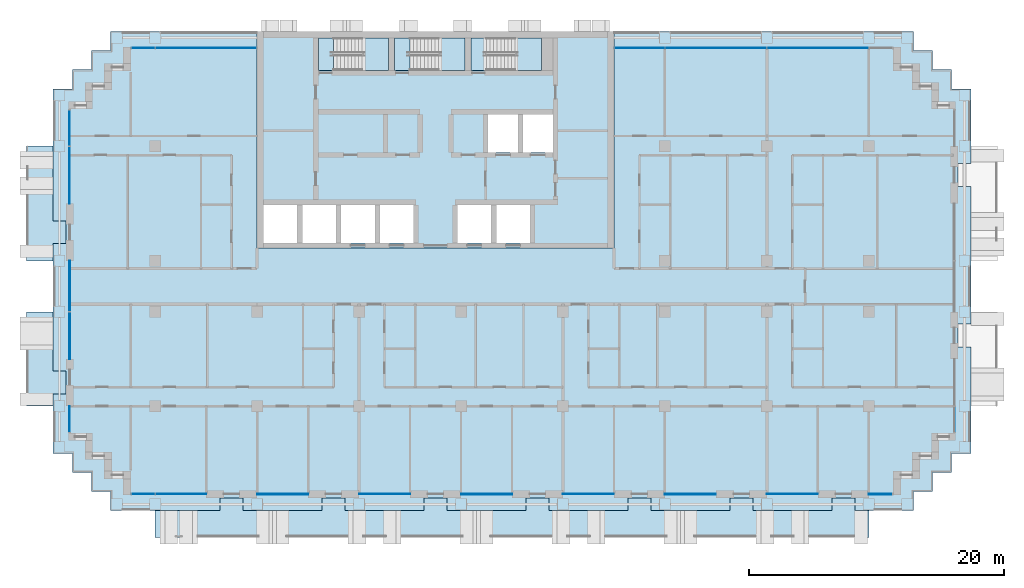
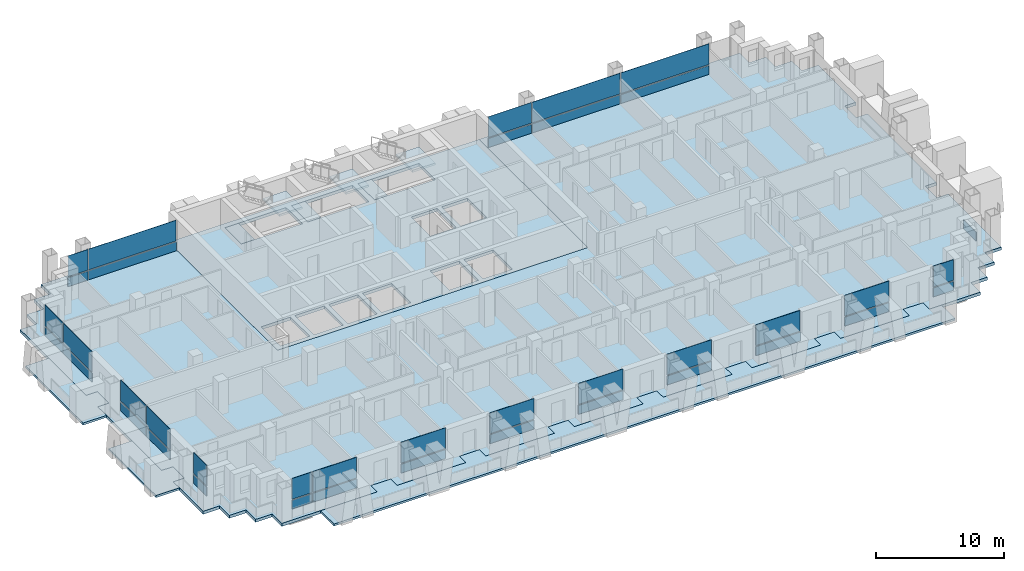
# One storey, part 7 of 18: 39 plates, 11 slabs, 17 elements without a shape of their own.
"""IFC4 building model written with IfcOpenShell, lengths in metres."""

import ifcopenshell
import ifcopenshell.guid

model = None  # the IFC model being written
_history = None  # IfcOwnerHistory: only IFC2X3 demands one
_inside = {}  # id of a spatial element -> (the spatial element, [elements in it])
_under = {}  # id of a project, library or spatial element -> (it, [spatial elements below it])
_declared = {}  # id of a project -> (the project, [libraries it declares])
_typed = {}  # id of a type object -> (the type object, [elements of that type])
_made_of = {}  # id of a material, layer set ... -> (it, [elements and type objects made of it])


def new_model(schema):
    """Start an empty IFC model of exactly this schema.

    Asked for "IFC4X3", IfcOpenShell would pick the latest addendum, in which some entities
    have other attributes; the version numbers below select the first issue.
    IFC2X3 requires an IfcOwnerHistory on every rooted entity: one is made here for all.
    """
    global model, _history
    if schema == "IFC4X3":
        model = ifcopenshell.file(schema_version=(4, 3, 0, 0))
    else:
        model = ifcopenshell.file(schema=schema)
    _inside.clear()
    _under.clear()
    _declared.clear()
    _typed.clear()
    _made_of.clear()
    _history = None
    if model.schema == "IFC2X3":
        org = make("IfcOrganization", Name="unknown")
        user = make(
            "IfcPersonAndOrganization",
            ThePerson=make("IfcPerson", FamilyName="unknown"),
            TheOrganization=org,
        )
        app = make(
            "IfcApplication",
            ApplicationDeveloper=org,
            Version="unknown",
            ApplicationFullName="unknown",
            ApplicationIdentifier="unknown",
        )
        _history = make(
            "IfcOwnerHistory",
            OwningUser=user,
            OwningApplication=app,
            ChangeAction="ADDED",
            CreationDate=0,
        )
    return model


def make(cls, **values):
    """One entity of the class cls with the attributes given. An attribute that is None is left unset."""
    return model.create_entity(
        cls, **{name: value for name, value in values.items() if value is not None}
    )


def rooted(cls, **values):
    """An entity with a GlobalId (a new one), such as an element, a storey or a relation."""
    return make(cls, GlobalId=ifcopenshell.guid.new(), OwnerHistory=_history, **values)


def si_unit(unit_type, name, prefix=None):
    """IfcSIUnit, for example si_unit("LENGTHUNIT", "METRE", prefix="MILLI")."""
    return make("IfcSIUnit", UnitType=unit_type, Prefix=prefix, Name=name)


def assignment(units):
    """IfcUnitAssignment: the units of a project."""
    return None if units is None else make("IfcUnitAssignment", Units=units)


def point(xyz):
    """IfcCartesianPoint."""
    return None if xyz is None else make("IfcCartesianPoint", Coordinates=xyz)


def direction(xyz):
    """IfcDirection."""
    return None if xyz is None else make("IfcDirection", DirectionRatios=xyz)


def frame(location, z_axis=None, x_axis=None):
    """IfcAxis2Placement3D, a coordinate frame: its origin and axes. An axis left out is left unset."""
    return make(
        "IfcAxis2Placement3D",
        Location=point(location),
        Axis=direction(z_axis),
        RefDirection=direction(x_axis),
    )


def frame_2d(location, x_axis=None):
    """IfcAxis2Placement2D, a coordinate frame in the plane: its origin and x axis."""
    return make(
        "IfcAxis2Placement2D", Location=point(location), RefDirection=direction(x_axis)
    )


def origin():
    """The frame at (0, 0, 0) with its axes left unset."""
    return frame((0.0, 0.0, 0.0))


def origin_2d():
    """The frame at (0, 0) in the plane with its x axis left unset."""
    return frame_2d((0.0, 0.0))


def place(relative_to, where):
    """IfcLocalPlacement: puts the frame where relative to a parent placement (None: the world)."""
    return make(
        "IfcLocalPlacement", PlacementRelTo=relative_to, RelativePlacement=where
    )


def context(
    kind, dimensions, precision=None, world=None, true_north=None, identifier=None
):
    """IfcGeometricRepresentationContext, for example the 3D "Model" context."""
    return make(
        "IfcGeometricRepresentationContext",
        ContextIdentifier=identifier,
        ContextType=kind,
        CoordinateSpaceDimension=dimensions,
        Precision=precision,
        WorldCoordinateSystem=world,
        TrueNorth=true_north,
    )


def subcontext(parent, identifier, kind, view, scale=None):
    """IfcGeometricRepresentationSubContext, for example "Body" below "Model"."""
    return make(
        "IfcGeometricRepresentationSubContext",
        ContextIdentifier=identifier,
        ContextType=kind,
        ParentContext=parent,
        TargetScale=scale,
        TargetView=view,
    )


def project(units=None, contexts=None):
    """IfcProject with its units and contexts."""
    return rooted(
        "IfcProject",
        Name="project",
        RepresentationContexts=contexts,
        UnitsInContext=assignment(units),
    )


def spatial(cls, under=None, at=None, **own):
    """A site, building, storey or space (cls), placed at a placement, below another one or the project."""
    s = rooted(cls, ObjectPlacement=at, **own)
    if under is not None:
        _under.setdefault(under.id(), (under, []))[1].append(s)
    return s


def polyline(points):
    """IfcPolyline through the points."""
    return make("IfcPolyline", Points=[point(p) for p in points])


def profile(cls, at=None, kind="AREA", **sizes):
    """A parametric profile (cls). Its sizes go by their IFC names, for example OverallWidth=200.0."""
    return make(cls, ProfileType=kind, Position=at, **sizes)


def rectangle(**sizes):
    """IfcRectangleProfileDef."""
    return profile("IfcRectangleProfileDef", **sizes)


def outline(outer, holes=None, kind="AREA"):
    """IfcArbitraryClosedProfileDef: a profile drawn as a closed curve; with holes, ...WithVoids."""
    if holes is None:
        return make("IfcArbitraryClosedProfileDef", ProfileType=kind, OuterCurve=outer)
    return make(
        "IfcArbitraryProfileDefWithVoids",
        ProfileType=kind,
        OuterCurve=outer,
        InnerCurves=holes,
    )


def extrude(swept, where, along, depth):
    """IfcExtrudedAreaSolid: the profile swept, set in the frame where, extruded along a direction by depth."""
    return make(
        "IfcExtrudedAreaSolid",
        SweptArea=swept,
        Position=where,
        ExtrudedDirection=direction(along),
        Depth=depth,
    )


def shape(context_of_items, identifier, shape_type, items):
    """IfcShapeRepresentation: the items that make up one representation, for example the "Body"."""
    return make(
        "IfcShapeRepresentation",
        ContextOfItems=context_of_items,
        RepresentationIdentifier=identifier,
        RepresentationType=shape_type,
        Items=items,
    )


def material(Name=None, Category=None):
    """IfcMaterial."""
    return make("IfcMaterial", Name=Name, Category=Category)


def layer(
    of_material, thickness, ventilated=None, Name=None, Category=None, Priority=None
):
    """IfcMaterialLayer: one layer of a wall or slab, of a material (None: an air gap)."""
    return make(
        "IfcMaterialLayer",
        Material=of_material,
        LayerThickness=thickness,
        IsVentilated=ventilated,
        Name=Name,
        Category=Category,
        Priority=Priority,
    )


def layer_set(layers, Name=None):
    """IfcMaterialLayerSet."""
    return make("IfcMaterialLayerSet", MaterialLayers=layers, LayerSetName=Name)


def made_of(thing, what):
    """Note that an element or type object is made of a material, layer set ...; save() writes the relation."""
    if what is not None:
        _made_of.setdefault(what.id(), (what, []))[1].append(thing)
    return thing


def type_object(cls, material=None, **own):
    """A type object (cls), such as IfcWallType, which elements share."""
    return made_of(rooted(cls, **own), material)


def element(
    cls,
    number,
    at=None,
    inside=None,
    cuts=None,
    type_object=None,
    material=None,
    context=None,
    identifier="Body",
    shape_type=None,
    held_by="IfcProductDefinitionShape",
    body=None,
    shapes=None,
    **own,
):
    """One element of the class cls, such as IfcWall. Its Tag is "e" and its number.

    at: its placement. inside: the storey or other place that contains it. cuts: it is an
    opening in that element (IfcRelVoidsElement). A single representation is given by context,
    identifier, shape_type and body (its items); several are given by shapes. held_by: the class
    of the entity that holds the representations. save() writes the other relations.
    """
    e = rooted(cls, Tag="e%d" % number, ObjectPlacement=at, **own)
    if body is not None:
        shapes = [shape(context, identifier, shape_type, body)]
    if shapes is not None:
        e.Representation = make(held_by, Representations=shapes)
    if inside is not None:
        _inside.setdefault(inside.id(), (inside, []))[1].append(e)
    if cuts is not None:
        rooted(
            "IfcRelVoidsElement", RelatingBuildingElement=cuts, RelatedOpeningElement=e
        )
    if type_object is not None:
        _typed.setdefault(type_object.id(), (type_object, []))[1].append(e)
    return made_of(e, material)


def aggregate(whole, parts):
    """IfcRelAggregates: a whole, such as a stair, and the parts it consists of."""
    return rooted("IfcRelAggregates", RelatingObject=whole, RelatedObjects=parts)


def save(model, path):
    """Write the relations noted so far, then the file.

    IfcRelAggregates (storeys below a building ...), IfcRelContainedInSpatialStructure (elements
    in a storey), IfcRelDefinesByType, IfcRelAssociatesMaterial and IfcRelDeclares: one each for
    every whole, place, type object, material and project.
    """
    for whole, parts in _under.values():
        aggregate(whole, parts)
    for where, things in _inside.values():
        rooted(
            "IfcRelContainedInSpatialStructure",
            RelatedElements=things,
            RelatingStructure=where,
        )
    for kind, things in _typed.values():
        rooted("IfcRelDefinesByType", RelatedObjects=things, RelatingType=kind)
    for what, things in _made_of.values():
        rooted("IfcRelAssociatesMaterial", RelatedObjects=things, RelatingMaterial=what)
    for by, libraries in _declared.values():
        rooted("IfcRelDeclares", RelatingContext=by, RelatedDefinitions=libraries)
    model.write(path)


model = new_model("IFC4")

# Units and contexts
model_context = context("Model", 3, precision=1e-05, world=origin(), true_north=direction((0.0, 1.0)))
body_context = subcontext(model_context, "Body", "Model", "MODEL_VIEW")
ifc_project = project(units=[si_unit("LENGTHUNIT", "METRE"), si_unit("AREAUNIT", "SQUARE_METRE"), si_unit("VOLUMEUNIT", "CUBIC_METRE"), si_unit("PLANEANGLEUNIT", "RADIAN"), si_unit("MASSUNIT", "GRAM", prefix="KILO")], contexts=[model_context])

# Site, building, storey
site_placement = place(None, origin())
site = spatial("IfcSite", under=ifc_project, at=site_placement, CompositionType="ELEMENT")
building_placement = place(site_placement, origin())
building = spatial("IfcBuilding", under=site, at=building_placement, Name="Vidyagriha Tower", CompositionType="ELEMENT")
storey_placement = place(building_placement, frame((0.0, 0.0, 80.699951171875)))
storey = spatial("IfcBuildingStorey", under=building, at=storey_placement, Name="L20", CompositionType="ELEMENT", Elevation=80.699951171875)

# Curtain wall, plate
ifc_material_1 = material(Name="Aluminium and glass curtain wall", Category="aluminium")
curtain_wall_type = type_object("IfcCurtainWallType", Name="Dwelling skin unitised curtain wall", PredefinedType="USERDEFINED", material=ifc_material_1)
curtain_wall_1_placement = place(storey_placement, origin())
curtain_wall_1 = element("IfcCurtainWall", 1, at=curtain_wall_1_placement, inside=storey, type_object=curtain_wall_type, Name="CW1 dwelling skin", ObjectType="UNITISED", PredefinedType="USERDEFINED")
ifc_material_2 = material(Name="Glass dark ceramic-fritted spandrel", Category="glass")
ifc_layer_1 = layer(ifc_material_2, 0.0400390625)
ifc_layer_set_1 = layer_set([ifc_layer_1], Name="Glass dark ceramic-fritted spandrel")
plate_type_1 = type_object("IfcPlateType", Name="Ceramic-fritted spandrel panel", PredefinedType="CURTAIN_PANEL", material=ifc_layer_set_1)
plate_1_placement = place(storey_placement, frame((22.0, 18.699951171875, 0.0), z_axis=(0.0, 0.0, 1.0), x_axis=(-1.0, 0.0, 0.0)))
plate_1 = element("IfcPlate", 2, at=plate_1_placement, type_object=plate_type_1, Name="CW1 panel 3.1", PredefinedType="CURTAIN_PANEL", context=body_context, shape_type="SweptSolid", body=[
    extrude(rectangle(XDim=7.929931640625, YDim=0.0400390625, at=origin_2d()), origin(), (0.0, 0.0, 1.0), 0.85009765625),
])

curtain_wall_2_placement = place(storey_placement, origin())
curtain_wall_2 = element("IfcCurtainWall", 3, at=curtain_wall_2_placement, inside=storey, type_object=curtain_wall_type, Name="CW1 dwelling skin", ObjectType="UNITISED", PredefinedType="USERDEFINED")
plate_2_placement = place(storey_placement, frame((-18.017578125, 18.699951171875, 0.0), z_axis=(0.0, 0.0, 1.0), x_axis=(-1.0, 0.0, 0.0)))
plate_2 = element("IfcPlate", 4, at=plate_2_placement, type_object=plate_type_1, Name="CW1 panel 1.1", PredefinedType="CURTAIN_PANEL", context=body_context, shape_type="SweptSolid", body=[
    extrude(rectangle(XDim=7.89501953125, YDim=0.0400390625, at=origin_2d()), origin(), (0.0, 0.0, 1.0), 0.85009765625),
])

# Curtain wall, plates
curtain_wall_3_placement = place(storey_placement, origin())
curtain_wall_3 = element("IfcCurtainWall", 5, at=curtain_wall_3_placement, inside=storey, type_object=curtain_wall_type, Name="CW1 dwelling skin", ObjectType="UNITISED", PredefinedType="USERDEFINED")
plate_3_placement = place(storey_placement, frame((-28.699951171875, 12.4326171875, 0.0), z_axis=(0.0, 0.0, 1.0), x_axis=(0.0, -1.0, 0.0)))
plate_3 = element("IfcPlate", 6, at=plate_3_placement, type_object=plate_type_1, Name="CW1 panel 1.1", PredefinedType="CURTAIN_PANEL", context=body_context, shape_type="SweptSolid", body=[
    extrude(rectangle(XDim=2.794921875, YDim=0.0400390625, at=origin_2d()), origin(), (0.0, 0.0, 1.0), 0.85009765625),
])
plate_4_placement = place(storey_placement, frame((-28.699951171875, 8.732421875, 0.0), z_axis=(0.0, 0.0, 1.0), x_axis=(0.0, -1.0, 0.0)))
plate_4 = element("IfcPlate", 7, at=plate_4_placement, type_object=plate_type_1, Name="CW1 panel 2.1", PredefinedType="CURTAIN_PANEL", context=body_context, shape_type="SweptSolid", body=[
    extrude(rectangle(XDim=4.465087890625, YDim=0.0400390625, at=origin_2d()), origin(), (0.0, 0.0, 1.0), 0.85009765625),
])

# Curtain wall, plate
curtain_wall_4_placement = place(storey_placement, origin())
curtain_wall_4 = element("IfcCurtainWall", 8, at=curtain_wall_4_placement, inside=storey, type_object=curtain_wall_type, Name="CW1 dwelling skin", ObjectType="UNITISED", PredefinedType="USERDEFINED")
plate_5_placement = place(storey_placement, frame((-28.699951171875, -10.4150390625, 0.0), z_axis=(0.0, 0.0, 1.0), x_axis=(0.0, -1.0, 0.0)))
plate_5 = element("IfcPlate", 9, at=plate_5_placement, type_object=plate_type_1, Name="CW1 panel 1.1", PredefinedType="CURTAIN_PANEL", context=body_context, shape_type="SweptSolid", body=[
    extrude(rectangle(XDim=2.030029296875, YDim=0.0400390625, at=origin_2d()), origin(), (0.0, 0.0, 1.0), 0.85009765625),
])

# Curtain wall, plates
curtain_wall_5_placement = place(storey_placement, origin())
curtain_wall_5 = element("IfcCurtainWall", 10, at=curtain_wall_5_placement, inside=storey, type_object=curtain_wall_type, Name="CW1 dwelling skin", ObjectType="UNITISED", PredefinedType="USERDEFINED")
plate_6_placement = place(storey_placement, frame((-22.9326171875, -16.300048828125, 0.0)))
plate_6 = element("IfcPlate", 11, at=plate_6_placement, type_object=plate_type_1, Name="CW1 panel 1.1", PredefinedType="CURTAIN_PANEL", context=body_context, shape_type="SweptSolid", body=[
    extrude(rectangle(XDim=1.794921875, YDim=0.0400390625, at=origin_2d()), origin(), (0.0, 0.0, 1.0), 0.85009765625),
])
plate_7_placement = place(storey_placement, frame((-19.982421875, -16.300048828125, 0.0)))
plate_7 = element("IfcPlate", 12, at=plate_7_placement, type_object=plate_type_1, Name="CW1 panel 2.1", PredefinedType="CURTAIN_PANEL", context=body_context, shape_type="SweptSolid", body=[
    extrude(rectangle(XDim=3.965087890625, YDim=0.0400390625, at=origin_2d()), origin(), (0.0, 0.0, 1.0), 0.85009765625),
])

# Curtain wall, plate
curtain_wall_6_placement = place(storey_placement, origin())
curtain_wall_6 = element("IfcCurtainWall", 13, at=curtain_wall_6_placement, inside=storey, type_object=curtain_wall_type, Name="CW1 dwelling skin", ObjectType="UNITISED", PredefinedType="USERDEFINED")
plate_8_placement = place(storey_placement, frame((-4.0, -16.300048828125, 0.0)))
plate_8 = element("IfcPlate", 14, at=plate_8_placement, type_object=plate_type_1, Name="CW1 panel 1.1", PredefinedType="CURTAIN_PANEL", context=body_context, shape_type="SweptSolid", body=[
    extrude(rectangle(XDim=4.0, YDim=0.0400390625, at=origin_2d()), origin(), (0.0, 0.0, 1.0), 0.85009765625),
])

curtain_wall_7_placement = place(storey_placement, origin())
curtain_wall_7 = element("IfcCurtainWall", 15, at=curtain_wall_7_placement, inside=storey, type_object=curtain_wall_type, Name="CW1 dwelling skin", ObjectType="UNITISED", PredefinedType="USERDEFINED")
plate_9_placement = place(storey_placement, frame((12.0, -16.300048828125, 0.0)))
plate_9 = element("IfcPlate", 16, at=plate_9_placement, type_object=plate_type_1, Name="CW1 panel 1.1", PredefinedType="CURTAIN_PANEL", context=body_context, shape_type="SweptSolid", body=[
    extrude(rectangle(XDim=4.0, YDim=0.0400390625, at=origin_2d()), origin(), (0.0, 0.0, 1.0), 0.85009765625),
])

curtain_wall_8_placement = place(storey_placement, origin())
curtain_wall_8 = element("IfcCurtainWall", 17, at=curtain_wall_8_placement, inside=storey, type_object=curtain_wall_type, Name="CW1 dwelling skin", ObjectType="UNITISED", PredefinedType="USERDEFINED")
plate_10_placement = place(storey_placement, frame((28.0, -16.300048828125, 0.0)))
plate_10 = element("IfcPlate", 18, at=plate_10_placement, type_object=plate_type_1, Name="CW1 panel 1.1", PredefinedType="CURTAIN_PANEL", context=body_context, shape_type="SweptSolid", body=[
    extrude(rectangle(XDim=4.0, YDim=0.0400390625, at=origin_2d()), origin(), (0.0, 0.0, 1.0), 0.85009765625),
])

curtain_wall_9_placement = place(storey_placement, origin())
curtain_wall_9 = element("IfcCurtainWall", 19, at=curtain_wall_9_placement, inside=storey, type_object=curtain_wall_type, Name="CW1 dwelling skin", ObjectType="UNITISED", PredefinedType="USERDEFINED")
plate_11_placement = place(storey_placement, frame((40.699951171875, -10.4326171875, 0.0), z_axis=(0.0, 0.0, 1.0), x_axis=(0.0, 1.0, 0.0)))
plate_11 = element("IfcPlate", 20, at=plate_11_placement, type_object=plate_type_1, Name="CW1 panel 1.1", PredefinedType="CURTAIN_PANEL", context=body_context, shape_type="SweptSolid", body=[
    extrude(rectangle(XDim=1.9951171875, YDim=0.0400390625, at=origin_2d()), origin(), (0.0, 0.0, 1.0), 0.85009765625),
])
aggregate(curtain_wall_9, [plate_11])

# Slab
ifc_material_3 = material(Name="Concrete C60/75", Category="concrete")
ifc_layer_2 = layer(ifc_material_3, 0.280029296875)
ifc_layer_set_2 = layer_set([ifc_layer_2], Name="Concrete C60/75")
slab_type_1 = type_object("IfcSlabType", Name="Core floor slab 280 mm", PredefinedType="FLOOR", material=ifc_layer_set_2)
slab_1_placement = place(storey_placement, frame((0.0, 0.0, -0.280029296875)))
element("IfcSlab", 21, at=slab_1_placement, inside=storey, type_object=slab_type_1, Name="L20 core floor 1", PredefinedType="FLOOR", context=body_context, shape_type="SweptSolid", body=[
    extrude(outline(polyline([(-14.0, 3.0), (-14.0, 20.0), (14.0, 20.0), (14.0, 3.0), (-14.0, 3.0)]), holes=[polyline([(9.199951171875, 13.5), (6.86669921875, 13.5), (6.86669921875, 10.5), (9.199951171875, 10.5), (9.199951171875, 13.5)]), polyline([(4.0, 19.5), (2.800048828125, 19.5), (2.800048828125, 16.949951171875), (4.0, 16.949951171875), (8.300048828125, 16.949951171875), (8.300048828125, 19.5), (4.0, 19.5)]), polyline([(7.4111328125, 6.39990234375), (4.7666015625, 6.39990234375), (4.7666015625, 3.39990234375), (7.4111328125, 3.39990234375), (7.4111328125, 6.39990234375)]), polyline([(6.466796875, 13.5), (4.13330078125, 13.5), (4.13330078125, 10.5), (6.466796875, 10.5), (6.466796875, 13.5)]), polyline([(1.72216796875, 6.39990234375), (1.72216796875, 3.39990234375), (4.36669921875, 3.39990234375), (4.36669921875, 6.39990234375), (1.72216796875, 6.39990234375)]), polyline([(-2.0, 16.949951171875), (2.300048828125, 16.949951171875), (2.300048828125, 19.5), (-2.0, 19.5), (-3.199951171875, 19.5), (-3.199951171875, 16.949951171875), (-2.0, 16.949951171875)]), polyline([(-1.72216796875, 6.39990234375), (-4.36669921875, 6.39990234375), (-4.36669921875, 3.39990234375), (-1.72216796875, 3.39990234375), (-1.72216796875, 6.39990234375)]), polyline([(-8.0, 19.5), (-9.199951171875, 19.5), (-9.199951171875, 16.949951171875), (-8.0, 16.949951171875), (-3.699951171875, 16.949951171875), (-3.699951171875, 19.5), (-8.0, 19.5)]), polyline([(-4.7666015625, 6.39990234375), (-7.4111328125, 6.39990234375), (-7.4111328125, 3.39990234375), (-4.7666015625, 3.39990234375), (-4.7666015625, 6.39990234375)]), polyline([(-7.81103515625, 6.39990234375), (-10.45556640625, 6.39990234375), (-10.45556640625, 3.39990234375), (-7.81103515625, 3.39990234375), (-7.81103515625, 6.39990234375)]), polyline([(-13.5, 6.39990234375), (-13.5, 3.39990234375), (-10.855712890625, 3.39990234375), (-10.855712890625, 6.39990234375), (-13.5, 6.39990234375)])]), origin(), (0.0, 0.0, 1.0), 0.280029296875),
])

# Plate
ifc_material_4 = material(Name="Glass dark ceramic-fritted", Category="glass")
ifc_layer_3 = layer(ifc_material_4, 0.028076171875)
ifc_layer_set_3 = layer_set([ifc_layer_3], Name="Glass dark ceramic-fritted")
plate_type_2 = type_object("IfcPlateType", Name="Dark ceramic-fritted vision glass panel", PredefinedType="CURTAIN_PANEL", material=ifc_layer_set_3)
plate_12_placement = place(storey_placement, frame((30.0, 18.699951171875, 0.9501953125), z_axis=(0.0, 0.0, 1.0), x_axis=(-1.0, 0.0, 0.0)))
plate_12 = element("IfcPlate", 22, at=plate_12_placement, type_object=plate_type_2, Name="CW1 panel 2.2", PredefinedType="CURTAIN_PANEL", context=body_context, shape_type="SweptSolid", body=[
    extrude(rectangle(XDim=7.929931640625, YDim=0.028076171875, at=origin_2d()), origin(), (0.0, 0.0, 1.0), 1.969970703125),
])

plate_13_placement = place(storey_placement, frame((22.0, 18.699951171875, 0.9501953125), z_axis=(0.0, 0.0, 1.0), x_axis=(-1.0, 0.0, 0.0)))
plate_13 = element("IfcPlate", 23, at=plate_13_placement, type_object=plate_type_2, Name="CW1 panel 3.2", PredefinedType="CURTAIN_PANEL", context=body_context, shape_type="SweptSolid", body=[
    extrude(rectangle(XDim=7.929931640625, YDim=0.028076171875, at=origin_2d()), origin(), (0.0, 0.0, 1.0), 1.969970703125),
])

plate_14_placement = place(storey_placement, frame((16.017578125, 18.699951171875, 0.9501953125), z_axis=(0.0, 0.0, 1.0), x_axis=(-1.0, 0.0, 0.0)))
plate_14 = element("IfcPlate", 24, at=plate_14_placement, type_object=plate_type_2, Name="CW1 panel 4.2", PredefinedType="CURTAIN_PANEL", context=body_context, shape_type="SweptSolid", body=[
    extrude(rectangle(XDim=3.89501953125, YDim=0.028076171875, at=origin_2d()), origin(), (0.0, 0.0, 1.0), 1.969970703125),
])

plate_15_placement = place(storey_placement, frame((-18.017578125, 18.699951171875, 0.9501953125), z_axis=(0.0, 0.0, 1.0), x_axis=(-1.0, 0.0, 0.0)))
plate_15 = element("IfcPlate", 25, at=plate_15_placement, type_object=plate_type_2, Name="CW1 panel 1.2", PredefinedType="CURTAIN_PANEL", context=body_context, shape_type="SweptSolid", body=[
    extrude(rectangle(XDim=7.89501953125, YDim=0.028076171875, at=origin_2d()), origin(), (0.0, 0.0, 1.0), 1.969970703125),
])

plate_16_placement = place(storey_placement, frame((-22.9326171875, 18.699951171875, 0.9501953125), z_axis=(0.0, 0.0, 1.0), x_axis=(-1.0, 0.0, 0.0)))
plate_16 = element("IfcPlate", 26, at=plate_16_placement, type_object=plate_type_2, Name="CW1 panel 2.2", PredefinedType="CURTAIN_PANEL", context=body_context, shape_type="SweptSolid", body=[
    extrude(rectangle(XDim=1.794921875, YDim=0.028076171875, at=origin_2d()), origin(), (0.0, 0.0, 1.0), 1.969970703125),
])

plate_17_placement = place(storey_placement, frame((-28.699951171875, 12.4326171875, 0.9501953125), z_axis=(0.0, 0.0, 1.0), x_axis=(0.0, -1.0, 0.0)))
plate_17 = element("IfcPlate", 27, at=plate_17_placement, type_object=plate_type_2, Name="CW1 panel 1.2", PredefinedType="CURTAIN_PANEL", context=body_context, shape_type="SweptSolid", body=[
    extrude(rectangle(XDim=2.794921875, YDim=0.028076171875, at=origin_2d()), origin(), (0.0, 0.0, 1.0), 1.969970703125),
])

plate_18_placement = place(storey_placement, frame((-28.699951171875, 8.732421875, 0.9501953125), z_axis=(0.0, 0.0, 1.0), x_axis=(0.0, -1.0, 0.0)))
plate_18 = element("IfcPlate", 28, at=plate_18_placement, type_object=plate_type_2, Name="CW1 panel 2.2", PredefinedType="CURTAIN_PANEL", context=body_context, shape_type="SweptSolid", body=[
    extrude(rectangle(XDim=4.465087890625, YDim=0.028076171875, at=origin_2d()), origin(), (0.0, 0.0, 1.0), 1.969970703125),
])

aggregate(curtain_wall_3, [plate_3, plate_17, plate_4, plate_18])

# Curtain wall, plates
curtain_wall_10_placement = place(storey_placement, origin())
curtain_wall_10 = element("IfcCurtainWall", 29, at=curtain_wall_10_placement, inside=storey, type_object=curtain_wall_type, Name="CW1 dwelling skin", ObjectType="UNITISED", PredefinedType="USERDEFINED")
plate_19_placement = place(storey_placement, frame((-28.699951171875, 0.017578125, 0.9501953125), z_axis=(0.0, 0.0, 1.0), x_axis=(0.0, -1.0, 0.0)))
plate_19 = element("IfcPlate", 30, at=plate_19_placement, type_object=plate_type_2, Name="CW1 panel 1.2", PredefinedType="CURTAIN_PANEL", context=body_context, shape_type="SweptSolid", body=[
    extrude(rectangle(XDim=3.965087890625, YDim=0.028076171875, at=origin_2d()), origin(), (0.0, 0.0, 1.0), 1.969970703125),
])
plate_20_placement = place(storey_placement, frame((-28.699951171875, -3.867431640625, 0.9501953125), z_axis=(0.0, 0.0, 1.0), x_axis=(0.0, -1.0, 0.0)))
plate_20 = element("IfcPlate", 31, at=plate_20_placement, type_object=plate_type_2, Name="CW1 panel 2.2", PredefinedType="CURTAIN_PANEL", context=body_context, shape_type="SweptSolid", body=[
    extrude(rectangle(XDim=3.6650390625, YDim=0.028076171875, at=origin_2d()), origin(), (0.0, 0.0, 1.0), 1.969970703125),
])

# Plate
plate_21_placement = place(storey_placement, frame((-28.699951171875, -10.4150390625, 0.9501953125), z_axis=(0.0, 0.0, 1.0), x_axis=(0.0, -1.0, 0.0)))
plate_21 = element("IfcPlate", 32, at=plate_21_placement, type_object=plate_type_2, Name="CW1 panel 1.2", PredefinedType="CURTAIN_PANEL", context=body_context, shape_type="SweptSolid", body=[
    extrude(rectangle(XDim=2.030029296875, YDim=0.028076171875, at=origin_2d()), origin(), (0.0, 0.0, 1.0), 1.969970703125),
])

aggregate(curtain_wall_4, [plate_5, plate_21])

plate_22_placement = place(storey_placement, frame((-22.9326171875, -16.300048828125, 0.9501953125)))
plate_22 = element("IfcPlate", 33, at=plate_22_placement, type_object=plate_type_2, Name="CW1 panel 1.2", PredefinedType="CURTAIN_PANEL", context=body_context, shape_type="SweptSolid", body=[
    extrude(rectangle(XDim=1.794921875, YDim=0.028076171875, at=origin_2d()), origin(), (0.0, 0.0, 1.0), 1.969970703125),
])

plate_23_placement = place(storey_placement, frame((-19.982421875, -16.300048828125, 0.9501953125)))
plate_23 = element("IfcPlate", 34, at=plate_23_placement, type_object=plate_type_2, Name="CW1 panel 2.2", PredefinedType="CURTAIN_PANEL", context=body_context, shape_type="SweptSolid", body=[
    extrude(rectangle(XDim=3.965087890625, YDim=0.028076171875, at=origin_2d()), origin(), (0.0, 0.0, 1.0), 1.969970703125),
])

aggregate(curtain_wall_5, [plate_6, plate_22, plate_7, plate_23])

# Curtain wall, plate
curtain_wall_11_placement = place(storey_placement, origin())
curtain_wall_11 = element("IfcCurtainWall", 35, at=curtain_wall_11_placement, inside=storey, type_object=curtain_wall_type, Name="CW1 dwelling skin", ObjectType="UNITISED", PredefinedType="USERDEFINED")
plate_24_placement = place(storey_placement, frame((-12.0, -16.300048828125, 0.9501953125)))
plate_24 = element("IfcPlate", 36, at=plate_24_placement, type_object=plate_type_2, Name="CW1 panel 1.2", PredefinedType="CURTAIN_PANEL", context=body_context, shape_type="SweptSolid", body=[
    extrude(rectangle(XDim=4.0, YDim=0.028076171875, at=origin_2d()), origin(), (0.0, 0.0, 1.0), 1.969970703125),
])

# Plate
plate_25_placement = place(storey_placement, frame((-4.0, -16.300048828125, 0.9501953125)))
plate_25 = element("IfcPlate", 37, at=plate_25_placement, type_object=plate_type_2, Name="CW1 panel 1.2", PredefinedType="CURTAIN_PANEL", context=body_context, shape_type="SweptSolid", body=[
    extrude(rectangle(XDim=4.0, YDim=0.028076171875, at=origin_2d()), origin(), (0.0, 0.0, 1.0), 1.969970703125),
])

aggregate(curtain_wall_6, [plate_8, plate_25])

# Curtain wall, plate
curtain_wall_12_placement = place(storey_placement, origin())
curtain_wall_12 = element("IfcCurtainWall", 38, at=curtain_wall_12_placement, inside=storey, type_object=curtain_wall_type, Name="CW1 dwelling skin", ObjectType="UNITISED", PredefinedType="USERDEFINED")
plate_26_placement = place(storey_placement, frame((4.0, -16.300048828125, 0.9501953125)))
plate_26 = element("IfcPlate", 39, at=plate_26_placement, type_object=plate_type_2, Name="CW1 panel 1.2", PredefinedType="CURTAIN_PANEL", context=body_context, shape_type="SweptSolid", body=[
    extrude(rectangle(XDim=4.0, YDim=0.028076171875, at=origin_2d()), origin(), (0.0, 0.0, 1.0), 1.969970703125),
])

# Plate
plate_27_placement = place(storey_placement, frame((12.0, -16.300048828125, 0.9501953125)))
plate_27 = element("IfcPlate", 40, at=plate_27_placement, type_object=plate_type_2, Name="CW1 panel 1.2", PredefinedType="CURTAIN_PANEL", context=body_context, shape_type="SweptSolid", body=[
    extrude(rectangle(XDim=4.0, YDim=0.028076171875, at=origin_2d()), origin(), (0.0, 0.0, 1.0), 1.969970703125),
])

aggregate(curtain_wall_7, [plate_9, plate_27])

# Curtain wall, plate
curtain_wall_13_placement = place(storey_placement, origin())
curtain_wall_13 = element("IfcCurtainWall", 41, at=curtain_wall_13_placement, inside=storey, type_object=curtain_wall_type, Name="CW1 dwelling skin", ObjectType="UNITISED", PredefinedType="USERDEFINED")
plate_28_placement = place(storey_placement, frame((20.0, -16.300048828125, 0.9501953125)))
plate_28 = element("IfcPlate", 42, at=plate_28_placement, type_object=plate_type_2, Name="CW1 panel 1.2", PredefinedType="CURTAIN_PANEL", context=body_context, shape_type="SweptSolid", body=[
    extrude(rectangle(XDim=4.0, YDim=0.028076171875, at=origin_2d()), origin(), (0.0, 0.0, 1.0), 1.969970703125),
])

# Plate
plate_29_placement = place(storey_placement, frame((28.0, -16.300048828125, 0.9501953125)))
plate_29 = element("IfcPlate", 43, at=plate_29_placement, type_object=plate_type_2, Name="CW1 panel 1.2", PredefinedType="CURTAIN_PANEL", context=body_context, shape_type="SweptSolid", body=[
    extrude(rectangle(XDim=4.0, YDim=0.028076171875, at=origin_2d()), origin(), (0.0, 0.0, 1.0), 1.969970703125),
])

aggregate(curtain_wall_8, [plate_10, plate_29])

# Curtain wall, plate
curtain_wall_14_placement = place(storey_placement, origin())
curtain_wall_14 = element("IfcCurtainWall", 44, at=curtain_wall_14_placement, inside=storey, type_object=curtain_wall_type, Name="CW1 dwelling skin", ObjectType="UNITISED", PredefinedType="USERDEFINED")
plate_30_placement = place(storey_placement, frame((34.9150390625, -16.300048828125, 0.9501953125)))
plate_30 = element("IfcPlate", 45, at=plate_30_placement, type_object=plate_type_2, Name="CW1 panel 1.2", PredefinedType="CURTAIN_PANEL", context=body_context, shape_type="SweptSolid", body=[
    extrude(rectangle(XDim=1.830078125, YDim=0.028076171875, at=origin_2d()), origin(), (0.0, 0.0, 1.0), 1.969970703125),
])

# Slabs
ifc_material_5 = material(Name="Concrete C40/50", Category="concrete")
ifc_layer_4 = layer(ifc_material_5, 0.280029296875)
ifc_layer_set_4 = layer_set([ifc_layer_4], Name="Concrete C40/50")
slab_type_2 = type_object("IfcSlabType", Name="Exit stair floor landing 280 mm", PredefinedType="LANDING", material=ifc_layer_set_4)
slab_2_placement = place(storey_placement, frame((0.0, 0.0, -0.280029296875)))
element("IfcSlab", 46, at=slab_2_placement, inside=storey, type_object=slab_type_2, Name="ST1 floor landing L20", PredefinedType="LANDING", context=body_context, shape_type="SweptSolid", body=[
    extrude(outline(polyline([(-9.199951171875, 16.949951171875), (-8.0, 16.949951171875), (-8.0, 19.5), (-9.199951171875, 19.5), (-9.199951171875, 16.949951171875)])), origin(), (0.0, 0.0, 1.0), 0.280029296875),
])
slab_3_placement = place(storey_placement, frame((0.0, 0.0, -0.280029296875)))
element("IfcSlab", 47, at=slab_3_placement, inside=storey, type_object=slab_type_2, Name="ST2 floor landing L20", PredefinedType="LANDING", context=body_context, shape_type="SweptSolid", body=[
    extrude(outline(polyline([(-3.199951171875, 16.949951171875), (-2.0, 16.949951171875), (-2.0, 19.5), (-3.199951171875, 19.5), (-3.199951171875, 16.949951171875)])), origin(), (0.0, 0.0, 1.0), 0.280029296875),
])
slab_4_placement = place(storey_placement, frame((0.0, 0.0, -0.280029296875)))
element("IfcSlab", 48, at=slab_4_placement, inside=storey, type_object=slab_type_2, Name="ST3 floor landing L20", PredefinedType="LANDING", context=body_context, shape_type="SweptSolid", body=[
    extrude(outline(polyline([(2.800048828125, 16.949951171875), (4.0, 16.949951171875), (4.0, 19.5), (2.800048828125, 19.5), (2.800048828125, 16.949951171875)])), origin(), (0.0, 0.0, 1.0), 0.280029296875),
])

# Stair, slab
ifc_material_6 = material(Name="Concrete C40/50", Category="concrete")
stair_type = type_object("IfcStairType", Name="Exit stair, half-turn, precast flights", PredefinedType="HALF_TURN_STAIR", material=ifc_material_6)
stair_1_placement = place(storey_placement, origin())
stair_1 = element("IfcStair", 49, at=stair_1_placement, inside=storey, type_object=stair_type, Name="L20 Exit Stair ST1", PredefinedType="HALF_TURN_STAIR")
ifc_material_7 = material(Name="Concrete C40/50", Category="concrete")
ifc_layer_5 = layer(ifc_material_7, 0.199951171875)
ifc_layer_set_5 = layer_set([ifc_layer_5], Name="Concrete C40/50")
slab_type_3 = type_object("IfcSlabType", Name="Exit stair landing 200 mm", PredefinedType="LANDING", material=ifc_layer_set_5)
slab_5_placement = place(storey_placement, frame((0.0, 0.0, 1.400146484375)))
slab_5 = element("IfcSlab", 50, at=slab_5_placement, type_object=slab_type_3, Name="ST1 landing 1", PredefinedType="LANDING", context=body_context, shape_type="SweptSolid", body=[
    extrude(outline(polyline([(-5.760009765625, 16.949951171875), (-3.699951171875, 16.949951171875), (-3.699951171875, 19.5), (-5.760009765625, 19.5), (-5.760009765625, 16.949951171875)])), origin(), (0.0, 0.0, 1.0), 0.199951171875),
])
aggregate(stair_1, [slab_5])

stair_2_placement = place(storey_placement, origin())
stair_2 = element("IfcStair", 51, at=stair_2_placement, inside=storey, type_object=stair_type, Name="L20 Exit Stair ST2", PredefinedType="HALF_TURN_STAIR")
slab_6_placement = place(storey_placement, frame((0.0, 0.0, 1.400146484375)))
slab_6 = element("IfcSlab", 52, at=slab_6_placement, type_object=slab_type_3, Name="ST2 landing 1", PredefinedType="LANDING", context=body_context, shape_type="SweptSolid", body=[
    extrude(outline(polyline([(0.239990234375, 16.949951171875), (2.300048828125, 16.949951171875), (2.300048828125, 19.5), (0.239990234375, 19.5), (0.239990234375, 16.949951171875)])), origin(), (0.0, 0.0, 1.0), 0.199951171875),
])
aggregate(stair_2, [slab_6])

stair_3_placement = place(storey_placement, origin())
stair_3 = element("IfcStair", 53, at=stair_3_placement, inside=storey, type_object=stair_type, Name="L20 Exit Stair ST3", PredefinedType="HALF_TURN_STAIR")
slab_7_placement = place(storey_placement, frame((0.0, 0.0, 1.400146484375)))
slab_7 = element("IfcSlab", 54, at=slab_7_placement, type_object=slab_type_3, Name="ST3 landing 1", PredefinedType="LANDING", context=body_context, shape_type="SweptSolid", body=[
    extrude(outline(polyline([(6.239990234375, 16.949951171875), (8.300048828125, 16.949951171875), (8.300048828125, 19.5), (6.239990234375, 19.5), (6.239990234375, 16.949951171875)])), origin(), (0.0, 0.0, 1.0), 0.199951171875),
])
aggregate(stair_3, [slab_7])

# Plate
ifc_material_8 = material(Name="Aluminium black anodised", Category="aluminium")
ifc_layer_6 = layer(ifc_material_8, 0.06005859375)
ifc_layer_set_6 = layer_set([ifc_layer_6], Name="Aluminium black anodised")
plate_type_3 = type_object("IfcPlateType", Name="Operable black-metal vent panel", PredefinedType="CURTAIN_PANEL", material=ifc_layer_set_6)
plate_31_placement = place(storey_placement, frame((30.0, 18.699951171875, 0.0), z_axis=(0.0, 0.0, 1.0), x_axis=(-1.0, 0.0, 0.0)))
plate_31 = element("IfcPlate", 55, at=plate_31_placement, type_object=plate_type_3, Name="CW1 panel 2.1", PredefinedType="CURTAIN_PANEL", context=body_context, shape_type="SweptSolid", body=[
    extrude(rectangle(XDim=7.929931640625, YDim=0.06005859375, at=origin_2d()), origin(), (0.0, 0.0, 1.0), 0.85009765625),
])

plate_32_placement = place(storey_placement, frame((16.017578125, 18.699951171875, 0.0), z_axis=(0.0, 0.0, 1.0), x_axis=(-1.0, 0.0, 0.0)))
plate_32 = element("IfcPlate", 56, at=plate_32_placement, type_object=plate_type_3, Name="CW1 panel 4.1", PredefinedType="CURTAIN_PANEL", context=body_context, shape_type="SweptSolid", body=[
    extrude(rectangle(XDim=3.89501953125, YDim=0.06005859375, at=origin_2d()), origin(), (0.0, 0.0, 1.0), 0.85009765625),
])

aggregate(curtain_wall_1, [plate_31, plate_12, plate_1, plate_13, plate_32, plate_14])

plate_33_placement = place(storey_placement, frame((-22.9326171875, 18.699951171875, 0.0), z_axis=(0.0, 0.0, 1.0), x_axis=(-1.0, 0.0, 0.0)))
plate_33 = element("IfcPlate", 57, at=plate_33_placement, type_object=plate_type_3, Name="CW1 panel 2.1", PredefinedType="CURTAIN_PANEL", context=body_context, shape_type="SweptSolid", body=[
    extrude(rectangle(XDim=1.794921875, YDim=0.06005859375, at=origin_2d()), origin(), (0.0, 0.0, 1.0), 0.85009765625),
])

aggregate(curtain_wall_2, [plate_2, plate_15, plate_33, plate_16])

plate_34_placement = place(storey_placement, frame((-28.699951171875, 0.017578125, 0.0), z_axis=(0.0, 0.0, 1.0), x_axis=(0.0, -1.0, 0.0)))
plate_34 = element("IfcPlate", 58, at=plate_34_placement, type_object=plate_type_3, Name="CW1 panel 1.1", PredefinedType="CURTAIN_PANEL", context=body_context, shape_type="SweptSolid", body=[
    extrude(rectangle(XDim=3.965087890625, YDim=0.06005859375, at=origin_2d()), origin(), (0.0, 0.0, 1.0), 0.85009765625),
])

plate_35_placement = place(storey_placement, frame((-28.699951171875, -3.867431640625, 0.0), z_axis=(0.0, 0.0, 1.0), x_axis=(0.0, -1.0, 0.0)))
plate_35 = element("IfcPlate", 59, at=plate_35_placement, type_object=plate_type_3, Name="CW1 panel 2.1", PredefinedType="CURTAIN_PANEL", context=body_context, shape_type="SweptSolid", body=[
    extrude(rectangle(XDim=3.6650390625, YDim=0.06005859375, at=origin_2d()), origin(), (0.0, 0.0, 1.0), 0.85009765625),
])

aggregate(curtain_wall_10, [plate_34, plate_19, plate_35, plate_20])

plate_36_placement = place(storey_placement, frame((-12.0, -16.300048828125, 0.0)))
plate_36 = element("IfcPlate", 60, at=plate_36_placement, type_object=plate_type_3, Name="CW1 panel 1.1", PredefinedType="CURTAIN_PANEL", context=body_context, shape_type="SweptSolid", body=[
    extrude(rectangle(XDim=4.0, YDim=0.06005859375, at=origin_2d()), origin(), (0.0, 0.0, 1.0), 0.85009765625),
])

aggregate(curtain_wall_11, [plate_36, plate_24])

plate_37_placement = place(storey_placement, frame((4.0, -16.300048828125, 0.0)))
plate_37 = element("IfcPlate", 61, at=plate_37_placement, type_object=plate_type_3, Name="CW1 panel 1.1", PredefinedType="CURTAIN_PANEL", context=body_context, shape_type="SweptSolid", body=[
    extrude(rectangle(XDim=4.0, YDim=0.06005859375, at=origin_2d()), origin(), (0.0, 0.0, 1.0), 0.85009765625),
])

aggregate(curtain_wall_12, [plate_37, plate_26])

plate_38_placement = place(storey_placement, frame((20.0, -16.300048828125, 0.0)))
plate_38 = element("IfcPlate", 62, at=plate_38_placement, type_object=plate_type_3, Name="CW1 panel 1.1", PredefinedType="CURTAIN_PANEL", context=body_context, shape_type="SweptSolid", body=[
    extrude(rectangle(XDim=4.0, YDim=0.06005859375, at=origin_2d()), origin(), (0.0, 0.0, 1.0), 0.85009765625),
])

aggregate(curtain_wall_13, [plate_38, plate_28])

plate_39_placement = place(storey_placement, frame((34.9150390625, -16.300048828125, 0.0)))
plate_39 = element("IfcPlate", 63, at=plate_39_placement, type_object=plate_type_3, Name="CW1 panel 1.1", PredefinedType="CURTAIN_PANEL", context=body_context, shape_type="SweptSolid", body=[
    extrude(rectangle(XDim=1.830078125, YDim=0.06005859375, at=origin_2d()), origin(), (0.0, 0.0, 1.0), 0.85009765625),
])

aggregate(curtain_wall_14, [plate_39, plate_30])

# Slabs
ifc_material_9 = material(Name="Concrete C50/60", Category="concrete")
ifc_layer_7 = layer(ifc_material_9, 0.280029296875)
ifc_layer_set_7 = layer_set([ifc_layer_7], Name="Concrete C50/60")
slab_type_4 = type_object("IfcSlabType", Name="Post-tensioned flat plate 280", PredefinedType="FLOOR", material=ifc_layer_set_7)
slab_8_placement = place(storey_placement, frame((0.0, 0.0, -0.280029296875)))
element("IfcSlab", 64, at=slab_8_placement, inside=storey, type_object=slab_type_4, Name="st-slab-L20-1", PredefinedType="FLOOR", context=body_context, shape_type="SweptSolid", body=[
    extrude(outline(polyline([(40.5, -14.60009765625), (39.0, -14.60009765625), (39.0, -16.10009765625), (37.5, -16.10009765625), (37.5, -17.60009765625), (32.89990234375, -17.60009765625), (32.89990234375, -16.60009765625), (31.10009765625, -16.60009765625), (31.10009765625, -17.60009765625), (24.89990234375, -17.60009765625), (24.89990234375, -16.60009765625), (23.10009765625, -16.60009765625), (23.10009765625, -17.60009765625), (16.89990234375, -17.60009765625), (16.89990234375, -16.60009765625), (15.10009765625, -16.60009765625), (15.10009765625, -17.60009765625), (8.89990234375, -17.60009765625), (8.89990234375, -16.60009765625), (7.10009765625, -16.60009765625), (7.10009765625, -17.60009765625), (0.89990234375, -17.60009765625), (0.89990234375, -16.60009765625), (-0.89990234375, -16.60009765625), (-0.89990234375, -17.60009765625), (-7.10009765625, -17.60009765625), (-7.10009765625, -16.60009765625), (-8.89990234375, -16.60009765625), (-8.89990234375, -17.60009765625), (-15.10009765625, -17.60009765625), (-15.10009765625, -16.60009765625), (-16.89990234375, -16.60009765625), (-16.89990234375, -17.60009765625), (-25.5, -17.60009765625), (-25.5, -16.10009765625), (-27.0, -16.10009765625), (-27.0, -14.60009765625), (-28.5, -14.60009765625), (-28.5, -13.10009765625), (-30.0, -13.10009765625), (-30.0, -8.449951171875), (-29.0, -8.449951171875), (-29.0, -6.64990234375), (-30.0, -6.64990234375), (-30.0, 3.35009765625), (-29.0, 3.35009765625), (-29.0, 5.14990234375), (-30.0, 5.14990234375), (-30.0, 15.5), (-28.5, 15.5), (-28.5, 17.0), (-27.0, 17.0), (-27.0, 18.5), (-25.5, 18.5), (-25.5, 20.0), (-14.0, 20.0), (-14.0, 3.0), (14.0, 3.0), (14.0, 20.0), (37.5, 20.0), (37.5, 18.5), (39.0, 18.5), (39.0, 17.0), (40.5, 17.0), (40.5, 15.5), (42.0, 15.5), (42.0, 9.64990234375), (41.0, 9.64990234375), (41.0, 7.85009765625), (42.0, 7.85009765625), (42.0, -2.949951171875), (41.0, -2.949951171875), (41.0, -4.75), (42.0, -4.75), (42.0, -13.10009765625), (40.5, -13.10009765625), (40.5, -14.60009765625)])), origin(), (0.0, 0.0, 1.0), 0.280029296875),
])
ifc_material_10 = material(Name="Precast concrete C40/50", Category="concrete")
ifc_layer_8 = layer(ifc_material_10, 0.199951171875)
ifc_layer_set_8 = layer_set([ifc_layer_8], Name="Precast concrete C40/50")
slab_type_5 = type_object("IfcSlabType", Name="Precast balcony slab 200", PredefinedType="USERDEFINED", material=ifc_layer_set_8)
slab_9_placement = place(storey_placement, frame((0.0, 0.0, -0.199951171875)))
element("IfcSlab", 65, at=slab_9_placement, inside=storey, type_object=slab_type_5, Name="Balcony slab L20 R16.1-1", ObjectType="BALCONY", PredefinedType="USERDEFINED", context=body_context, shape_type="SweptSolid", body=[
    extrude(outline(polyline([(-29.0, 3.35009765625), (-29.0, 5.14990234375), (-30.0, 5.14990234375), (-30.0, 11.0), (-32.10009765625, 11.0), (-32.10009765625, 2.0), (-30.0, 2.0), (-30.0, 3.35009765625), (-29.0, 3.35009765625)])), origin(), (0.0, 0.0, 1.0), 0.199951171875),
])
slab_10_placement = place(storey_placement, frame((0.0, 0.0, -0.199951171875)))
element("IfcSlab", 66, at=slab_10_placement, inside=storey, type_object=slab_type_5, Name="Balcony slab L20 R16.2-2", ObjectType="BALCONY", PredefinedType="USERDEFINED", context=body_context, shape_type="SweptSolid", body=[
    extrude(outline(polyline([(-29.0, -8.449951171875), (-29.0, -6.64990234375), (-30.0, -6.64990234375), (-30.0, -2.0), (-32.10009765625, -2.0), (-32.10009765625, -9.39990234375), (-30.0, -9.39990234375), (-30.0, -8.449951171875), (-29.0, -8.449951171875)])), origin(), (0.0, 0.0, 1.0), 0.199951171875),
])
slab_11_placement = place(storey_placement, frame((0.0, 0.0, -0.199951171875)))
element("IfcSlab", 67, at=slab_11_placement, inside=storey, type_object=slab_type_5, Name="Balcony slab L20 R23.1-7", ObjectType="BALCONY", PredefinedType="USERDEFINED", context=body_context, shape_type="SweptSolid", body=[
    extrude(outline(polyline([(-15.10009765625, -16.60009765625), (-16.89990234375, -16.60009765625), (-16.89990234375, -17.60009765625), (-22.0, -17.60009765625), (-22.0, -19.699951171875), (34.0, -19.699951171875), (34.0, -17.60009765625), (32.89990234375, -17.60009765625), (32.89990234375, -16.60009765625), (31.10009765625, -16.60009765625), (31.10009765625, -17.60009765625), (24.89990234375, -17.60009765625), (24.89990234375, -16.60009765625), (23.10009765625, -16.60009765625), (23.10009765625, -17.60009765625), (16.89990234375, -17.60009765625), (16.89990234375, -16.60009765625), (15.10009765625, -16.60009765625), (15.10009765625, -17.60009765625), (8.89990234375, -17.60009765625), (8.89990234375, -16.60009765625), (7.10009765625, -16.60009765625), (7.10009765625, -17.60009765625), (0.89990234375, -17.60009765625), (0.89990234375, -16.60009765625), (-0.89990234375, -16.60009765625), (-0.89990234375, -17.60009765625), (-7.10009765625, -17.60009765625), (-7.10009765625, -16.60009765625), (-8.89990234375, -16.60009765625), (-8.89990234375, -17.60009765625), (-15.10009765625, -17.60009765625), (-15.10009765625, -16.60009765625)])), origin(), (0.0, 0.0, 1.0), 0.199951171875),
])

save(model, "model.ifc")
